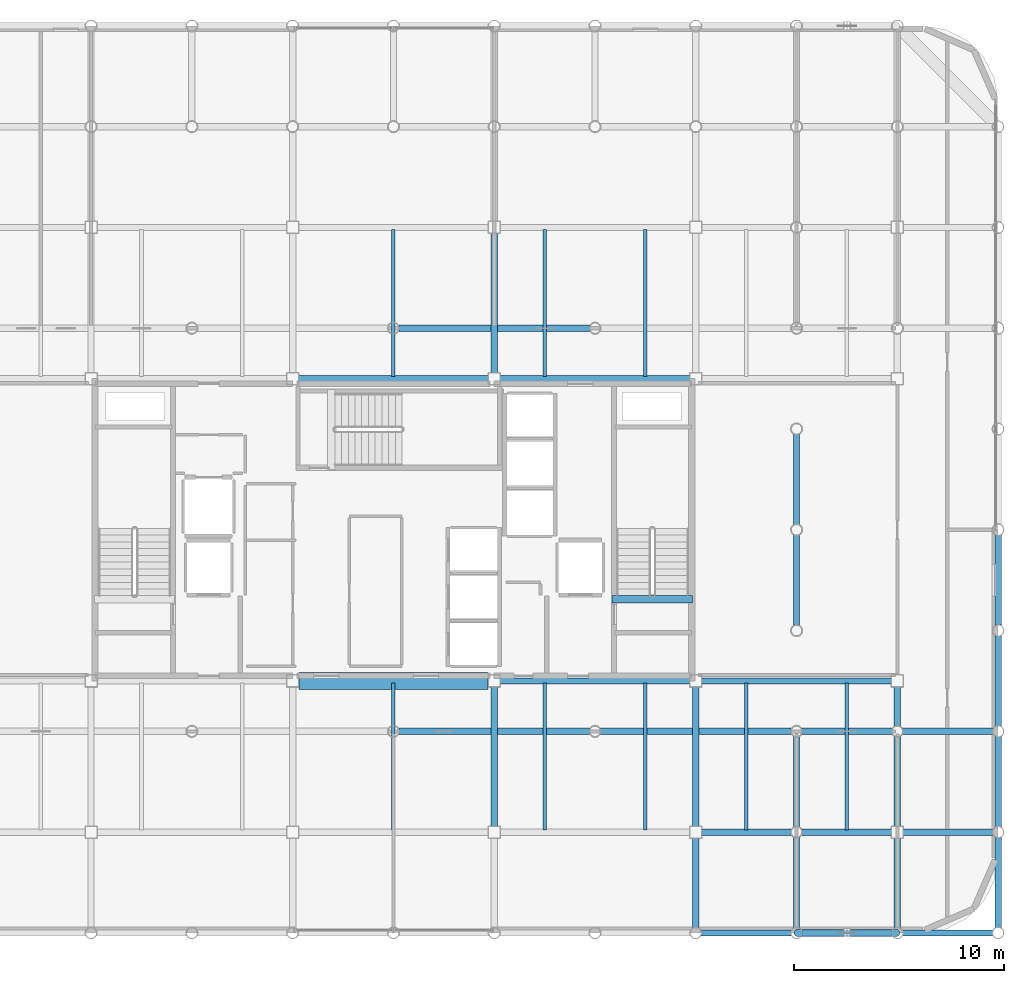
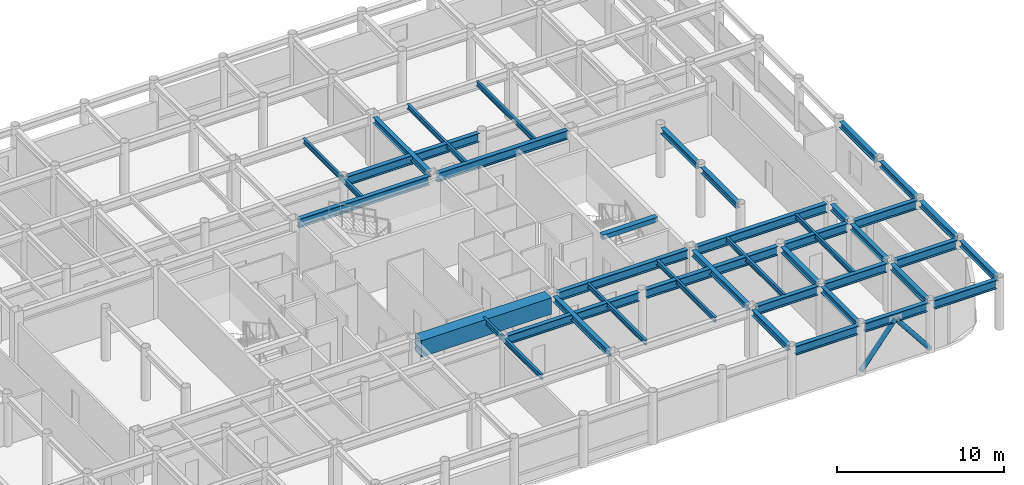
# One storey, part 9 of 21: 40 beams, 2 members.
"""IFC4 building model written with IfcOpenShell, lengths in metres."""

from ifc_helpers import new_model, si_unit, direction, frame, origin, origin_2d, place, context, subcontext, project, spatial, rectangle, hollow_circle, i_section, extrude, material, material_profile, profile_set, type_object, element, save


model = new_model("IFC4")

# Units and contexts
model_context = context("Model", 3, precision=1e-05, world=origin(), true_north=direction((0.0, 1.0)))
body_context = subcontext(model_context, "Body", "Model", "MODEL_VIEW")
ifc_project = project(units=[si_unit("LENGTHUNIT", "METRE"), si_unit("AREAUNIT", "SQUARE_METRE"), si_unit("VOLUMEUNIT", "CUBIC_METRE"), si_unit("PLANEANGLEUNIT", "RADIAN"), si_unit("MASSUNIT", "GRAM", prefix="KILO")], contexts=[model_context])

# Site, building, storey
site_placement = place(None, origin())
site = spatial("IfcSite", under=ifc_project, at=site_placement, CompositionType="ELEMENT")
building_placement = place(site_placement, origin())
building = spatial("IfcBuilding", under=site, at=building_placement, Name="Kallvorn Hotel Tower", CompositionType="ELEMENT")
storey_placement = place(building_placement, frame((0.0, 0.0, 268.5)))
storey = spatial("IfcBuildingStorey", under=building, at=storey_placement, Name="L67", CompositionType="ELEMENT", Elevation=268.5)

# Beams
ifc_material_1 = material(Name="Structural steel S355JR", Category="steel")
ifc_material_profile_1 = material_profile(ifc_material_1, i_section(OverallWidth=0.300048828125, OverallDepth=0.43994140625, WebThickness=0.011474609375, FlangeThickness=0.02099609375, at=origin_2d()), Name="HE 450 A")
ifc_profile_set_1 = profile_set([ifc_material_profile_1], Name="Structural steel S355JR")
beam_type_1 = type_object("IfcBeamType", Name="BM_HE450A", PredefinedType="BEAM", material=ifc_profile_set_1)
for number, where, z_axis, x_axis, name in (
    (1, (4.800048828125, -14.125, 3.449951171875), (0.0, 1.0, 0.0), (-1.0, 0.0, 0.0), "L68 Primary Y-Girder 115"),
    (2, (4.800048828125, 7.47509765625, 3.449951171875), (0.0, 1.0, 0.0), (-1.0, 0.0, 0.0), "L68 Primary Y-Girder 116"),
):
    element("IfcBeam", number, at=place(storey_placement, frame(where, z_axis=z_axis, x_axis=x_axis)), inside=storey, type_object=beam_type_1, Name=name, PredefinedType="BEAM", context=body_context, shape_type="SweptSolid", body=[
        extrude(i_section(OverallWidth=0.300048828125, OverallDepth=0.43994140625, WebThickness=0.011474609375, FlangeThickness=0.02099609375, at=origin_2d()), origin(), (0.0, 0.0, 1.0), 6.64990234375),
    ])
beam_1_placement = place(storey_placement, frame((14.39990234375, -18.945556640625, 3.449951171875), z_axis=(0.0, 1.0, 0.0), x_axis=(-1.0, 0.0, 0.0)))
element("IfcBeam", 3, at=beam_1_placement, inside=storey, type_object=beam_type_1, Name="L68 Primary Y-Girder 122", PredefinedType="BEAM", context=body_context, shape_type="SweptSolid", body=[
    extrude(i_section(OverallWidth=0.300048828125, OverallDepth=0.43994140625, WebThickness=0.011474609375, FlangeThickness=0.02099609375, at=origin_2d()), origin(), (0.0, 0.0, 1.0), 4.2705078125),
])
beam_2_placement = place(storey_placement, frame((14.39990234375, -14.125, 3.449951171875), z_axis=(0.0, 1.0, 0.0), x_axis=(-1.0, 0.0, 0.0)))
element("IfcBeam", 4, at=beam_2_placement, inside=storey, type_object=beam_type_1, Name="L68 Primary Y-Girder 123", PredefinedType="BEAM", context=body_context, shape_type="SweptSolid", body=[
    extrude(i_section(OverallWidth=0.300048828125, OverallDepth=0.43994140625, WebThickness=0.011474609375, FlangeThickness=0.02099609375, at=origin_2d()), origin(), (0.0, 0.0, 1.0), 6.64990234375),
])
for number, where, z_axis, x_axis, name in (
    (5, (19.199951171875, -18.945556640625, 3.449951171875), (0.0, 1.0, 0.0), (-1.0, 0.0, 0.0), "L68 Primary Y-Girder 127"),
    (6, (19.199951171875, -14.1455078125, 3.449951171875), (0.0, 1.0, 0.0), (-1.0, 0.0, 0.0), "L68 Primary Y-Girder 128"),
    (7, (19.199951171875, -4.54541015625, 3.449951171875), (0.0, 1.0, 0.0), (-1.0, 0.0, 0.0), "L68 Primary Y-Girder 130"),
    (8, (19.199951171875, 0.25439453125, 3.449951171875), (0.0, 1.0, 0.0), (-1.0, 0.0, 0.0), "L68 Primary Y-Girder 131"),
):
    element("IfcBeam", number, at=place(storey_placement, frame(where, z_axis=z_axis, x_axis=x_axis)), inside=storey, type_object=beam_type_1, Name=name, PredefinedType="BEAM", context=body_context, shape_type="SweptSolid", body=[
        extrude(i_section(OverallWidth=0.300048828125, OverallDepth=0.43994140625, WebThickness=0.011474609375, FlangeThickness=0.02099609375, at=origin_2d()), origin(), (0.0, 0.0, 1.0), 4.291015625),
    ])
for number, where, z_axis, x_axis, name in (
    (9, (24.0, -18.945556640625, 3.449951171875), (0.0, 1.0, 0.0), (-1.0, 0.0, 0.0), "L68 Primary Y-Girder 136"),
    (10, (24.0, -14.125, 3.449951171875), (0.0, 1.0, 0.0), (-1.0, 0.0, 0.0), "L68 Primary Y-Girder 137"),
):
    element("IfcBeam", number, at=place(storey_placement, frame(where, z_axis=z_axis, x_axis=x_axis)), inside=storey, type_object=beam_type_1, Name=name, PredefinedType="BEAM", context=body_context, shape_type="SweptSolid", body=[
        extrude(i_section(OverallWidth=0.300048828125, OverallDepth=0.43994140625, WebThickness=0.011474609375, FlangeThickness=0.02099609375, at=origin_2d()), origin(), (0.0, 0.0, 1.0), 4.2705078125),
    ])
beam_3_placement = place(storey_placement, frame((24.0, -9.345458984375, 3.449951171875), z_axis=(0.0, 1.0, 0.0), x_axis=(-1.0, 0.0, 0.0)))
element("IfcBeam", 11, at=beam_3_placement, inside=storey, type_object=beam_type_1, Name="L68 Primary Y-Girder 138", PredefinedType="BEAM", context=body_context, shape_type="SweptSolid", body=[
    extrude(i_section(OverallWidth=0.300048828125, OverallDepth=0.43994140625, WebThickness=0.011474609375, FlangeThickness=0.02099609375, at=origin_2d()), origin(), (0.0, 0.0, 1.0), 1.870361328125),
])
for number, where, z_axis, x_axis, name in (
    (12, (28.800048828125, -18.945556640625, 3.449951171875), (0.0, 1.0, 0.0), (-1.0, 0.0, 0.0), "L68 Primary Y-Girder 143"),
    (13, (28.800048828125, -14.1455078125, 3.449951171875), (0.0, 1.0, 0.0), (-1.0, 0.0, 0.0), "L68 Primary Y-Girder 144"),
    (14, (28.800048828125, -9.345458984375, 3.449951171875), (0.0, 1.0, 0.0), (-1.0, 0.0, 0.0), "L68 Primary Y-Girder 145"),
    (15, (28.800048828125, -4.54541015625, 3.449951171875), (0.0, 1.0, 0.0), (-1.0, 0.0, 0.0), "L68 Primary Y-Girder 146"),
):
    element("IfcBeam", number, at=place(storey_placement, frame(where, z_axis=z_axis, x_axis=x_axis)), inside=storey, type_object=beam_type_1, Name=name, PredefinedType="BEAM", context=body_context, shape_type="SweptSolid", body=[
        extrude(i_section(OverallWidth=0.300048828125, OverallDepth=0.43994140625, WebThickness=0.011474609375, FlangeThickness=0.02099609375, at=origin_2d()), origin(), (0.0, 0.0, 1.0), 4.291015625),
    ])
ifc_material_2 = material(Name="Structural steel S355JR", Category="steel")
ifc_material_profile_2 = material_profile(ifc_material_2, i_section(OverallWidth=0.300048828125, OverallDepth=0.64990234375, WebThickness=0.01611328125, FlangeThickness=0.031005859375, at=origin_2d()), Name="HE 650 B")
ifc_profile_set_2 = profile_set([ifc_material_profile_2], Name="Structural steel S355JR")
beam_type_2 = type_object("IfcBeamType", Name="BM_HE650B", PredefinedType="BEAM", material=ifc_profile_set_2)
for number, where, z_axis, x_axis, name in (
    (16, (14.654541015625, -19.199951171875, 3.344970703125), (1.0, 0.0, 0.0), (0.0, 1.0, 0.0), "L68 Primary X-Girder 10"),
    (17, (19.45458984375, -19.199951171875, 3.344970703125), (1.0, 0.0, 0.0), (0.0, 1.0, 0.0), "L68 Primary X-Girder 11"),
    (18, (24.25439453125, -19.199951171875, 3.344970703125), (1.0, 0.0, 0.0), (0.0, 1.0, 0.0), "L68 Primary X-Girder 12"),
):
    element("IfcBeam", number, at=place(storey_placement, frame(where, z_axis=z_axis, x_axis=x_axis)), inside=storey, type_object=beam_type_2, Name=name, PredefinedType="BEAM", context=body_context, shape_type="SweptSolid", body=[
        extrude(i_section(OverallWidth=0.300048828125, OverallDepth=0.64990234375, WebThickness=0.01611328125, FlangeThickness=0.031005859375, at=origin_2d()), origin(), (0.0, 0.0, 1.0), 4.291015625),
    ])
for number, where, z_axis, x_axis, name in (
    (19, (14.675048828125, -14.39990234375, 3.344970703125), (1.0, 0.0, 0.0), (0.0, 1.0, 0.0), "L68 Primary X-Girder 20"),
    (20, (19.45458984375, -14.39990234375, 3.344970703125), (1.0, 0.0, 0.0), (0.0, 1.0, 0.0), "L68 Primary X-Girder 21"),
    (21, (24.27490234375, -14.39990234375, 3.344970703125), (1.0, 0.0, 0.0), (0.0, 1.0, 0.0), "L68 Primary X-Girder 22"),
):
    element("IfcBeam", number, at=place(storey_placement, frame(where, z_axis=z_axis, x_axis=x_axis)), inside=storey, type_object=beam_type_2, Name=name, PredefinedType="BEAM", context=body_context, shape_type="SweptSolid", body=[
        extrude(i_section(OverallWidth=0.300048828125, OverallDepth=0.64990234375, WebThickness=0.01611328125, FlangeThickness=0.031005859375, at=origin_2d()), origin(), (0.0, 0.0, 1.0), 4.2705078125),
    ])
for number, where, z_axis, x_axis, name in (
    (22, (0.25439453125, -9.60009765625, 3.344970703125), (1.0, 0.0, 0.0), (0.0, 1.0, 0.0), "L68 Primary X-Girder 28"),
    (23, (9.8544921875, -9.60009765625, 3.344970703125), (1.0, 0.0, 0.0), (0.0, 1.0, 0.0), "L68 Primary X-Girder 29"),
):
    element("IfcBeam", number, at=place(storey_placement, frame(where, z_axis=z_axis, x_axis=x_axis)), inside=storey, type_object=beam_type_2, Name=name, PredefinedType="BEAM", context=body_context, shape_type="SweptSolid", body=[
        extrude(i_section(OverallWidth=0.300048828125, OverallDepth=0.64990234375, WebThickness=0.01611328125, FlangeThickness=0.031005859375, at=origin_2d()), origin(), (0.0, 0.0, 1.0), 9.091064453125),
    ])
for number, where, z_axis, x_axis, name in (
    (24, (19.45458984375, -9.60009765625, 3.344970703125), (1.0, 0.0, 0.0), (0.0, 1.0, 0.0), "L68 Primary X-Girder 30"),
    (25, (24.25439453125, -9.60009765625, 3.344970703125), (1.0, 0.0, 0.0), (0.0, 1.0, 0.0), "L68 Primary X-Girder 31"),
):
    element("IfcBeam", number, at=place(storey_placement, frame(where, z_axis=z_axis, x_axis=x_axis)), inside=storey, type_object=beam_type_2, Name=name, PredefinedType="BEAM", context=body_context, shape_type="SweptSolid", body=[
        extrude(i_section(OverallWidth=0.300048828125, OverallDepth=0.64990234375, WebThickness=0.01611328125, FlangeThickness=0.031005859375, at=origin_2d()), origin(), (0.0, 0.0, 1.0), 4.291015625),
    ])
for number, where, z_axis, x_axis, name in (
    (26, (5.074951171875, -7.199951171875, 3.344970703125), (1.0, 0.0, 0.0), (0.0, 1.0, 0.0), "L68 Primary X-Girder 34"),
    (27, (14.675048828125, -7.199951171875, 3.344970703125), (1.0, 0.0, 0.0), (0.0, 1.0, 0.0), "L68 Primary X-Girder 35"),
):
    element("IfcBeam", number, at=place(storey_placement, frame(where, z_axis=z_axis, x_axis=x_axis)), inside=storey, type_object=beam_type_2, Name=name, PredefinedType="BEAM", context=body_context, shape_type="SweptSolid", body=[
        extrude(i_section(OverallWidth=0.300048828125, OverallDepth=0.64990234375, WebThickness=0.01611328125, FlangeThickness=0.031005859375, at=origin_2d()), origin(), (0.0, 0.0, 1.0), 9.050048828125),
    ])
beam_4_placement = place(storey_placement, frame((-4.52490234375, 7.199951171875, 3.344970703125), z_axis=(1.0, 0.0, 0.0), x_axis=(0.0, 1.0, 0.0)))
element("IfcBeam", 28, at=beam_4_placement, inside=storey, type_object=beam_type_2, Name="L68 Primary X-Girder 38", PredefinedType="BEAM", context=body_context, shape_type="SweptSolid", body=[
    extrude(i_section(OverallWidth=0.300048828125, OverallDepth=0.64990234375, WebThickness=0.01611328125, FlangeThickness=0.031005859375, at=origin_2d()), origin(), (0.0, 0.0, 1.0), 9.0498046875),
])
beam_5_placement = place(storey_placement, frame((5.074951171875, 7.199951171875, 3.344970703125), z_axis=(1.0, 0.0, 0.0), x_axis=(0.0, 1.0, 0.0)))
element("IfcBeam", 29, at=beam_5_placement, inside=storey, type_object=beam_type_2, Name="L68 Primary X-Girder 39", PredefinedType="BEAM", context=body_context, shape_type="SweptSolid", body=[
    extrude(i_section(OverallWidth=0.300048828125, OverallDepth=0.64990234375, WebThickness=0.01611328125, FlangeThickness=0.031005859375, at=origin_2d()), origin(), (0.0, 0.0, 1.0), 9.050048828125),
])
beam_6_placement = place(storey_placement, frame((0.25439453125, 9.60009765625, 3.344970703125), z_axis=(1.0, 0.0, 0.0), x_axis=(0.0, 1.0, 0.0)))
element("IfcBeam", 30, at=beam_6_placement, inside=storey, type_object=beam_type_2, Name="L68 Primary X-Girder 46", PredefinedType="BEAM", context=body_context, shape_type="SweptSolid", body=[
    extrude(i_section(OverallWidth=0.300048828125, OverallDepth=0.64990234375, WebThickness=0.01611328125, FlangeThickness=0.031005859375, at=origin_2d()), origin(), (0.0, 0.0, 1.0), 9.091064453125),
])
ifc_material_3 = material(Name="Structural steel S355JR", Category="steel")
ifc_material_profile_3 = material_profile(ifc_material_3, i_section(OverallWidth=0.169921875, OverallDepth=0.360107421875, WebThickness=0.008056640625, FlangeThickness=0.0126953125, at=origin_2d()), Name="IPE 360")
ifc_profile_set_3 = profile_set([ifc_material_profile_3], Name="Structural steel S355JR")
beam_type_3 = type_object("IfcBeamType", Name="BM_IPE360", PredefinedType="JOIST", material=ifc_profile_set_3)
for number, where, z_axis, x_axis, name in (
    (31, (0.0, -14.300048828125, 3.489990234375), (0.0, 1.0, 0.0), (-1.0, 0.0, 0.0), "L68 Secondary Composite Joist 200"),
    (32, (0.0, 7.300048828125, 3.489990234375), (0.0, 1.0, 0.0), (-1.0, 0.0, 0.0), "L68 Secondary Composite Joist 201"),
    (33, (7.199951171875, -14.300048828125, 3.489990234375), (0.0, 1.0, 0.0), (-1.0, 0.0, 0.0), "L68 Secondary Composite Joist 202"),
    (34, (7.199951171875, 7.300048828125, 3.489990234375), (0.0, 1.0, 0.0), (-1.0, 0.0, 0.0), "L68 Secondary Composite Joist 203"),
    (35, (12.0, -14.300048828125, 3.489990234375), (0.0, 1.0, 0.0), (-1.0, 0.0, 0.0), "L68 Secondary Composite Joist 204"),
    (36, (12.0, 7.300048828125, 3.489990234375), (0.0, 1.0, 0.0), (-1.0, 0.0, 0.0), "L68 Secondary Composite Joist 205"),
    (37, (16.800048828125, -14.300048828125, 3.489990234375), (0.0, 1.0, 0.0), (-1.0, 0.0, 0.0), "L68 Secondary Composite Joist 206"),
    (38, (21.60009765625, -14.300048828125, 3.489990234375), (0.0, 1.0, 0.0), (-1.0, 0.0, 0.0), "L68 Secondary Composite Joist 208"),
):
    element("IfcBeam", number, at=place(storey_placement, frame(where, z_axis=z_axis, x_axis=x_axis)), inside=storey, type_object=beam_type_3, Name=name, PredefinedType="JOIST", context=body_context, shape_type="SweptSolid", body=[
        extrude(i_section(OverallWidth=0.169921875, OverallDepth=0.360107421875, WebThickness=0.008056640625, FlangeThickness=0.0126953125, at=origin_2d()), origin(), (0.0, 0.0, 1.0), 7.0),
    ])
ifc_material_4 = material(Name="Concrete C50/60", Category="concrete")
ifc_material_profile_4 = material_profile(ifc_material_4, rectangle(XDim=0.360107421875, YDim=0.340087890625, at=origin_2d()), Name="RC 360x340")
ifc_profile_set_4 = profile_set([ifc_material_profile_4], Name="Concrete C50/60")
beam_type_4 = type_object("IfcBeamType", Name="BM_RC_400x360", PredefinedType="BEAM", material=ifc_profile_set_4)
beam_7_placement = place(storey_placement, frame((14.239990234375, -3.31005859375, 3.5), z_axis=(-1.0, 0.0, 0.0), x_axis=(0.0, -1.0, 0.0)))
element("IfcBeam", 39, at=beam_7_placement, inside=storey, type_object=beam_type_4, Name="L68 Stair ST2 Arrival Trimmer Beam", PredefinedType="BEAM", context=body_context, shape_type="SweptSolid", body=[
    extrude(rectangle(XDim=0.360107421875, YDim=0.340087890625, at=origin_2d()), origin(), (0.0, 0.0, 1.0), 3.820068359375),
])
ifc_material_5 = material(Name="Concrete C50/60", Category="concrete")
ifc_material_profile_5 = material_profile(ifc_material_5, rectangle(XDim=0.800048828125, YDim=1.199951171875, at=origin_2d()), Name="RC 800x1200")
ifc_profile_set_5 = profile_set([ifc_material_profile_5], Name="Concrete C50/60")
beam_type_5 = type_object("IfcBeamType", Name="BM_RC_800x1200", PredefinedType="T_BEAM", material=ifc_profile_set_5)
beam_8_placement = place(storey_placement, frame((-4.5, -7.199951171875, 3.070068359375), z_axis=(1.0, 0.0, 0.0), x_axis=(0.0, 1.0, 0.0)))
element("IfcBeam", 40, at=beam_8_placement, inside=storey, type_object=beam_type_5, Name="L67 Core Coupling Beam South", PredefinedType="T_BEAM", context=body_context, shape_type="SweptSolid", body=[
    extrude(rectangle(XDim=0.800048828125, YDim=1.199951171875, at=origin_2d()), origin(), (0.0, 0.0, 1.0), 9.0),
])

# Members
ifc_material_6 = material(Name="Structural steel S355J2H", Category="steel")
ifc_material_profile_6 = material_profile(ifc_material_6, hollow_circle(Radius=0.161865234375, WallThickness=0.012451171875, at=origin_2d()), Name="CHS 323.9x12.5")
ifc_profile_set_6 = profile_set([ifc_material_profile_6], Name="Structural steel S355J2H")
member_type = type_object("IfcMemberType", Name="MBR_EXO_CHS323", PredefinedType="BRACE", material=ifc_profile_set_6)
for number, where, z_axis, x_axis, name in (
    (41, (19.21240234375, -19.199951171875, 0.19580078125), (0.620928510901, 0.0, 0.783867198159), (0.0, 1.0, 0.0), "L67 Exoskeleton K-Brace S2A"),
    (42, (23.987548828125, -19.199951171875, 0.19580078125), (-0.620928510901, 0.0, 0.783867198159), (0.0, -1.0, 0.0), "L67 Exoskeleton K-Brace S2B"),
):
    element("IfcMember", number, at=place(storey_placement, frame(where, z_axis=z_axis, x_axis=x_axis)), inside=storey, type_object=member_type, Name=name, PredefinedType="BRACE", context=body_context, shape_type="SweptSolid", body=[
        extrude(hollow_circle(Radius=0.161865234375, WallThickness=0.012451171875, at=origin_2d()), origin(), (0.0, 0.0, 1.0), 3.8251953125),
    ])

save(model, "model.ifc")
